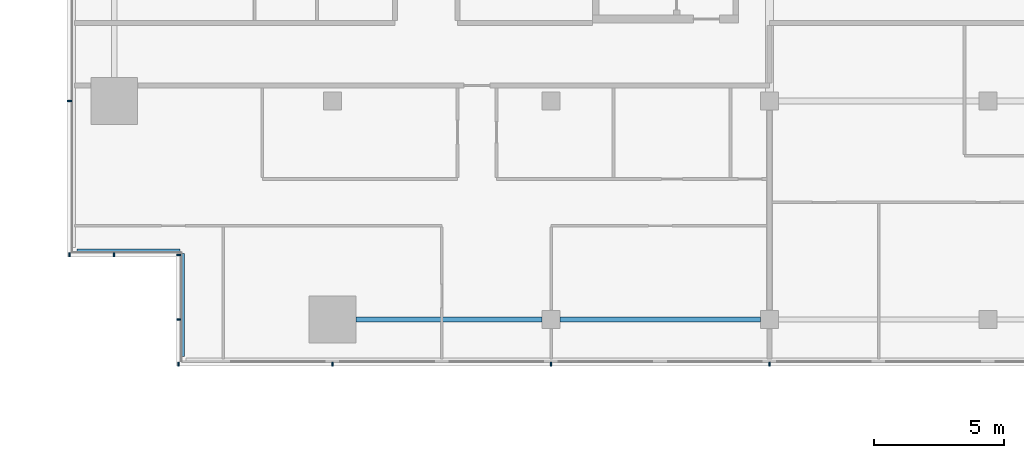
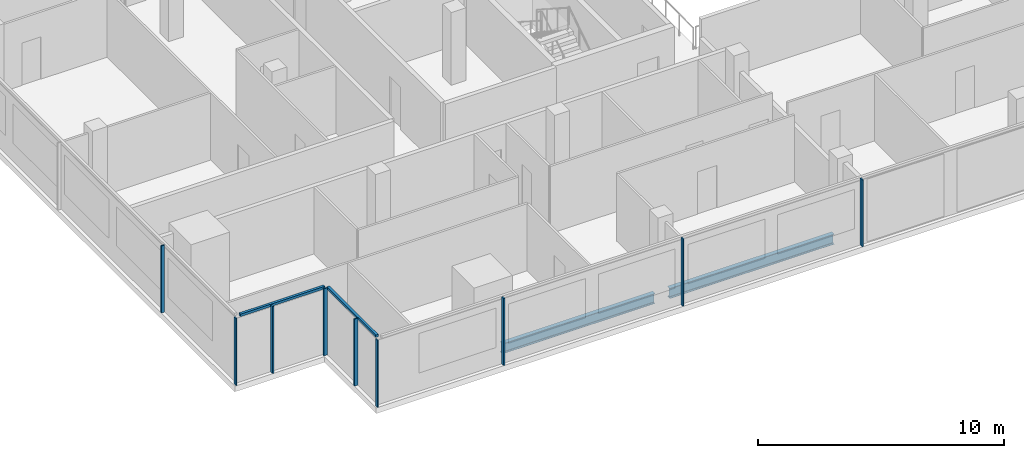
# One storey, part 2 of 30: 11 members, 2 beams, 4 elements without a shape of their own.
"""IFC4 building model written with IfcOpenShell, lengths in metres."""

from ifc_helpers import new_model, si_unit, direction, frame, origin, origin_2d, place, context, subcontext, project, spatial, rectangle, i_section, extrude, material, material_profile, profile_set, type_object, element, aggregate, save


model = new_model("IFC4")

# Units and contexts
model_context = context("Model", 3, precision=1e-05, world=origin(), true_north=direction((0.0, 1.0)))
body_context = subcontext(model_context, "Body", "Model", "MODEL_VIEW")
ifc_project = project(units=[si_unit("LENGTHUNIT", "METRE"), si_unit("AREAUNIT", "SQUARE_METRE"), si_unit("VOLUMEUNIT", "CUBIC_METRE"), si_unit("PLANEANGLEUNIT", "RADIAN"), si_unit("MASSUNIT", "GRAM", prefix="KILO")], contexts=[model_context])

# Site, building, storey
site_placement = place(None, origin())
site = spatial("IfcSite", under=ifc_project, at=site_placement, CompositionType="ELEMENT")
building_placement = place(site_placement, origin())
building = spatial("IfcBuilding", under=site, at=building_placement, Name="Saffron Gate Tower", CompositionType="ELEMENT")
storey_placement = place(building_placement, frame((0.0, 0.0, 179.85009765625)))
storey = spatial("IfcBuildingStorey", under=building, at=storey_placement, Name="L44", CompositionType="ELEMENT", Elevation=179.85009765625)

# Beams
ifc_material_1 = material(Name="Structural steel S355", Category="steel")
ifc_material_profile_1 = material_profile(ifc_material_1, i_section(OverallWidth=0.199951171875, OverallDepth=0.5, WebThickness=0.01025390625, FlangeThickness=0.01611328125, FilletRadius=0.02099609375, at=origin_2d()))
ifc_profile_set_1 = profile_set([ifc_material_profile_1], Name="Structural steel S355")
beam_type = type_object("IfcBeamType", Name="B11 IPE 500", PredefinedType="SPANDREL", material=ifc_profile_set_1)
beam_1_placement = place(storey_placement, frame((59.10009765625, 31.800048828125, -0.530029296875), z_axis=(1.0, 0.0, 0.0), x_axis=(0.0, 1.0, 0.0)))
element("IfcBeam", 1, at=beam_1_placement, inside=storey, type_object=beam_type, Name="B11 SPANDREL BEAM", PredefinedType="SPANDREL", context=body_context, shape_type="SweptSolid", body=[
    extrude(i_section(OverallWidth=0.199951171875, OverallDepth=0.5, WebThickness=0.01025390625, FlangeThickness=0.01611328125, FilletRadius=0.02099609375, at=origin_2d()), origin(), (0.0, 0.0, 1.0), 7.14990234375),
])
beam_2_placement = place(storey_placement, frame((66.949951171875, 31.800048828125, -0.530029296875), z_axis=(1.0, 0.0, 0.0), x_axis=(0.0, 1.0, 0.0)))
element("IfcBeam", 2, at=beam_2_placement, inside=storey, type_object=beam_type, Name="B11 SPANDREL BEAM", PredefinedType="SPANDREL", context=body_context, shape_type="SweptSolid", body=[
    extrude(i_section(OverallWidth=0.199951171875, OverallDepth=0.5, WebThickness=0.01025390625, FlangeThickness=0.01611328125, FilletRadius=0.02099609375, at=origin_2d()), origin(), (0.0, 0.0, 1.0), 7.699951171875),
])

# Curtain wall, members
ifc_material_2 = material(Name="Aluminium, bronze anodised", Category="aluminium")
curtain_wall_type_1 = type_object("IfcCurtainWallType", Name="CWS1 curtain wall front facade", PredefinedType="NOTDEFINED", material=ifc_material_2)
curtain_wall_1_placement = place(storey_placement, origin())
curtain_wall_1 = element("IfcCurtainWall", 3, at=curtain_wall_1_placement, inside=storey, type_object=curtain_wall_type_1, Name="CWS1 run 1", PredefinedType="NOTDEFINED")
ifc_material_profile_2 = material_profile(ifc_material_2, rectangle(XDim=0.159912109375, YDim=0.06005859375, at=origin_2d()))
ifc_profile_set_2 = profile_set([ifc_material_profile_2], Name="Aluminium, bronze anodised")
member_type_1 = type_object("IfcMemberType", Name="CWS1 mullion 60x160", PredefinedType="MULLION", material=ifc_profile_set_2)
member_1_placement = place(storey_placement, frame((52.280029296875, 30.080078125, 0.0), z_axis=(0.0, 0.0, 1.0), x_axis=(0.0, 1.0, 0.0)))
member_1 = element("IfcMember", 4, at=member_1_placement, type_object=member_type_1, Name="CWS1 mullion 1", PredefinedType="MULLION", context=body_context, shape_type="SweptSolid", body=[
    extrude(rectangle(XDim=0.159912109375, YDim=0.06005859375, at=origin_2d()), origin(), (0.0, 0.0, 1.0), 3.31982421875),
])
member_2_placement = place(storey_placement, frame((58.199951171875, 30.080078125, 0.0), z_axis=(0.0, 0.0, 1.0), x_axis=(0.0, 1.0, 0.0)))
member_2 = element("IfcMember", 5, at=member_2_placement, type_object=member_type_1, Name="CWS1 mullion 2", PredefinedType="MULLION", context=body_context, shape_type="SweptSolid", body=[
    extrude(rectangle(XDim=0.159912109375, YDim=0.06005859375, at=origin_2d()), origin(), (0.0, 0.0, 1.0), 3.31982421875),
])
member_3_placement = place(storey_placement, frame((66.60009765625, 30.080078125, 0.0), z_axis=(0.0, 0.0, 1.0), x_axis=(0.0, 1.0, 0.0)))
member_3 = element("IfcMember", 6, at=member_3_placement, type_object=member_type_1, Name="CWS1 mullion 3", PredefinedType="MULLION", context=body_context, shape_type="SweptSolid", body=[
    extrude(rectangle(XDim=0.159912109375, YDim=0.06005859375, at=origin_2d()), origin(), (0.0, 0.0, 1.0), 3.31982421875),
])
member_4_placement = place(storey_placement, frame((75.0, 30.080078125, 0.0), z_axis=(0.0, 0.0, 1.0), x_axis=(0.0, 1.0, 0.0)))
member_4 = element("IfcMember", 7, at=member_4_placement, type_object=member_type_1, Name="CWS1 mullion 4", PredefinedType="MULLION", context=body_context, shape_type="SweptSolid", body=[
    extrude(rectangle(XDim=0.159912109375, YDim=0.06005859375, at=origin_2d()), origin(), (0.0, 0.0, 1.0), 3.31982421875),
])
aggregate(curtain_wall_1, [member_1, member_2, member_3, member_4])

# Curtain wall, member
curtain_wall_type_2 = type_object("IfcCurtainWallType", Name="CWS2 curtain wall side facades", PredefinedType="NOTDEFINED", material=ifc_material_2)
curtain_wall_2_placement = place(storey_placement, origin())
curtain_wall_2 = element("IfcCurtainWall", 8, at=curtain_wall_2_placement, inside=storey, type_object=curtain_wall_type_2, Name="CWS2 run 10", PredefinedType="NOTDEFINED")
ifc_material_profile_3 = material_profile(ifc_material_2, rectangle(XDim=0.159912109375, YDim=0.06005859375, at=origin_2d()))
ifc_profile_set_3 = profile_set([ifc_material_profile_3], Name="Aluminium, bronze anodised")
member_type_2 = type_object("IfcMemberType", Name="CWS2 mullion 60x160", PredefinedType="MULLION", material=ifc_profile_set_3)
member_5_placement = place(storey_placement, frame((48.080078125, 40.199951171875, 0.0), z_axis=(0.0, 0.0, 1.0), x_axis=(1.0, 0.0, 0.0)))
member_5 = element("IfcMember", 9, at=member_5_placement, type_object=member_type_2, Name="CWS2 mullion 5", PredefinedType="MULLION", context=body_context, shape_type="SweptSolid", body=[
    extrude(rectangle(XDim=0.159912109375, YDim=0.06005859375, at=origin_2d()), origin(), (0.0, 0.0, 1.0), 3.31982421875),
])
aggregate(curtain_wall_2, [member_5])

curtain_wall_type_3 = type_object("IfcCurtainWallType", Name="CWS4 curtain wall corner returns", PredefinedType="NOTDEFINED", material=ifc_material_2)
curtain_wall_3_placement = place(storey_placement, origin())
curtain_wall_3 = element("IfcCurtainWall", 10, at=curtain_wall_3_placement, inside=storey, type_object=curtain_wall_type_3, Name="CWS4 run 11", PredefinedType="NOTDEFINED")
ifc_material_profile_4 = material_profile(ifc_material_2, rectangle(XDim=0.1201171875, YDim=0.1201171875, at=origin_2d()))
ifc_profile_set_4 = profile_set([ifc_material_profile_4], Name="Aluminium, bronze anodised")
member_type_3 = type_object("IfcMemberType", Name="CWS4 head transom", PredefinedType="USERDEFINED", material=ifc_profile_set_4)
member_6_placement = place(storey_placement, frame((48.367919921875, 34.447998046875, 3.260009765625), z_axis=(1.0, 0.0, 0.0), x_axis=(0.0, 1.0, 0.0)))
member_6 = element("IfcMember", 11, at=member_6_placement, type_object=member_type_3, Name="CWS4 head transom", ObjectType="TRANSOM", PredefinedType="USERDEFINED", context=body_context, shape_type="SweptSolid", body=[
    extrude(rectangle(XDim=0.1201171875, YDim=0.1201171875, at=origin_2d()), origin(), (0.0, 0.0, 1.0), 3.9599609375),
])

curtain_wall_4_placement = place(storey_placement, origin())
curtain_wall_4 = element("IfcCurtainWall", 12, at=curtain_wall_4_placement, inside=storey, type_object=curtain_wall_type_3, Name="CWS4 run 12", PredefinedType="NOTDEFINED")
member_7_placement = place(storey_placement, frame((52.447998046875, 34.327880859375, 3.260009765625), z_axis=(0.0, -1.0, 0.0), x_axis=(1.0, 0.0, 0.0)))
member_7 = element("IfcMember", 13, at=member_7_placement, type_object=member_type_3, Name="CWS4 head transom", ObjectType="TRANSOM", PredefinedType="USERDEFINED", context=body_context, shape_type="SweptSolid", body=[
    extrude(rectangle(XDim=0.1201171875, YDim=0.1201171875, at=origin_2d()), origin(), (0.0, 0.0, 1.0), 3.9599609375),
])

# Member
ifc_material_profile_5 = material_profile(ifc_material_2, rectangle(XDim=0.159912109375, YDim=0.06005859375, at=origin_2d()))
ifc_profile_set_5 = profile_set([ifc_material_profile_5], Name="Aluminium, bronze anodised")
member_type_4 = type_object("IfcMemberType", Name="CWS4 mullion 60x160", PredefinedType="MULLION", material=ifc_profile_set_5)
member_8_placement = place(storey_placement, frame((48.080078125, 34.280029296875, 0.0), z_axis=(0.0, 0.0, 1.0), x_axis=(0.0, 1.0, 0.0)))
member_8 = element("IfcMember", 14, at=member_8_placement, type_object=member_type_4, Name="CWS4 mullion 1", PredefinedType="MULLION", context=body_context, shape_type="SweptSolid", body=[
    extrude(rectangle(XDim=0.159912109375, YDim=0.06005859375, at=origin_2d()), origin(), (0.0, 0.0, 1.0), 3.31982421875),
])

member_9_placement = place(storey_placement, frame((49.800048828125, 34.280029296875, 0.0), z_axis=(0.0, 0.0, 1.0), x_axis=(0.0, 1.0, 0.0)))
member_9 = element("IfcMember", 15, at=member_9_placement, type_object=member_type_4, Name="CWS4 mullion 2", PredefinedType="MULLION", context=body_context, shape_type="SweptSolid", body=[
    extrude(rectangle(XDim=0.159912109375, YDim=0.06005859375, at=origin_2d()), origin(), (0.0, 0.0, 1.0), 3.31982421875),
])

aggregate(curtain_wall_3, [member_8, member_9, member_6])

member_10_placement = place(storey_placement, frame((52.280029296875, 34.280029296875, 0.0), z_axis=(0.0, 0.0, 1.0), x_axis=(1.0, 0.0, 0.0)))
member_10 = element("IfcMember", 16, at=member_10_placement, type_object=member_type_4, Name="CWS4 mullion 1", PredefinedType="MULLION", context=body_context, shape_type="SweptSolid", body=[
    extrude(rectangle(XDim=0.159912109375, YDim=0.06005859375, at=origin_2d()), origin(), (0.0, 0.0, 1.0), 3.31982421875),
])

member_11_placement = place(storey_placement, frame((52.280029296875, 31.800048828125, 0.0), z_axis=(0.0, 0.0, 1.0), x_axis=(1.0, 0.0, 0.0)))
member_11 = element("IfcMember", 17, at=member_11_placement, type_object=member_type_4, Name="CWS4 mullion 2", PredefinedType="MULLION", context=body_context, shape_type="SweptSolid", body=[
    extrude(rectangle(XDim=0.159912109375, YDim=0.06005859375, at=origin_2d()), origin(), (0.0, 0.0, 1.0), 3.31982421875),
])

aggregate(curtain_wall_4, [member_10, member_11, member_7])

save(model, "model.ifc")
